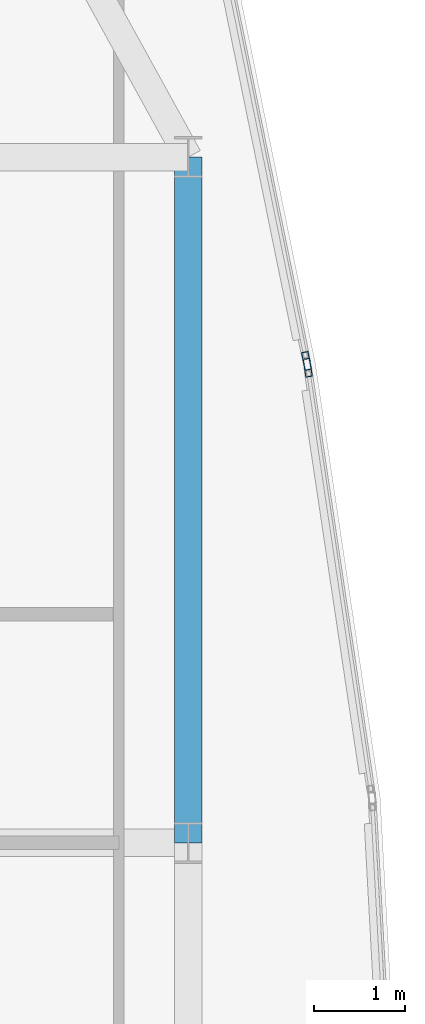
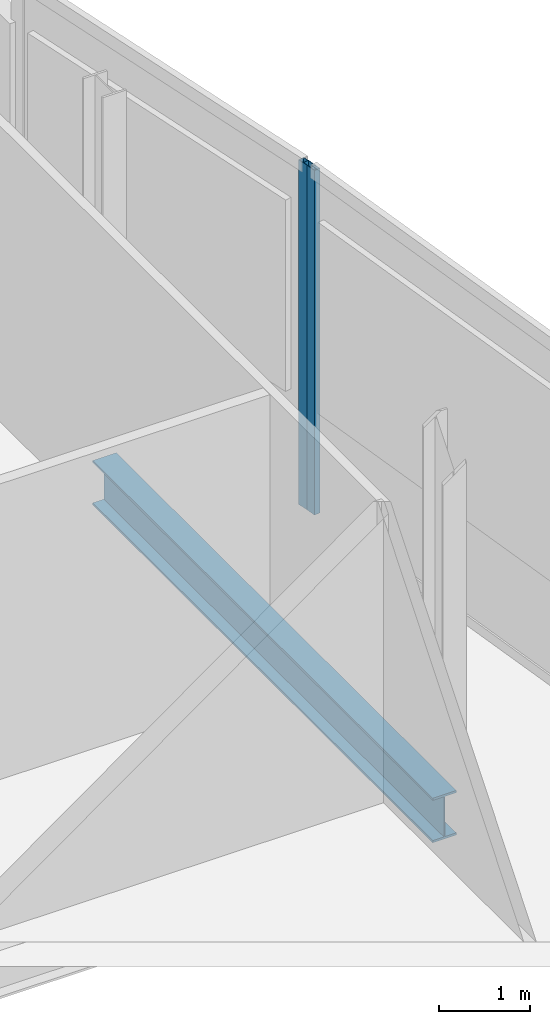
# One storey, part 21 of 32: 2 members, 1 beam, 2 elements without a shape of their own.
"""IFC4 building model written with IfcOpenShell, lengths in metres."""

from ifc_helpers import new_model, si_unit, direction, frame, origin, origin_2d, place, context, subcontext, project, spatial, hollow_rectangle, i_section, extrude, material, material_profile, profile_set, type_object, element, aggregate, save


model = new_model("IFC4")

# Units and contexts
model_context = context("Model", 3, precision=1e-05, world=origin(), true_north=direction((0.0, 1.0)))
body_context = subcontext(model_context, "Body", "Model", "MODEL_VIEW")
ifc_project = project(units=[si_unit("LENGTHUNIT", "METRE"), si_unit("AREAUNIT", "SQUARE_METRE"), si_unit("VOLUMEUNIT", "CUBIC_METRE"), si_unit("PLANEANGLEUNIT", "RADIAN"), si_unit("MASSUNIT", "GRAM", prefix="KILO")], contexts=[model_context])

# Site, building, storey
site_placement = place(None, origin())
site = spatial("IfcSite", under=ifc_project, at=site_placement, CompositionType="ELEMENT")
building_placement = place(site_placement, origin())
building = spatial("IfcBuilding", under=site, at=building_placement, Name="Khoronbel Lancet Exchange", CompositionType="ELEMENT")
storey_placement = place(building_placement, frame((0.0, 0.0, 257.0)))
storey = spatial("IfcBuildingStorey", under=building, at=storey_placement, Name="L66", CompositionType="ELEMENT", Elevation=257.0)

# Beam
ifc_material_1 = material(Name="Steel S355", Category="steel")
ifc_material_profile_1 = material_profile(ifc_material_1, i_section(OverallWidth=0.300048828125, OverallDepth=0.60009765625, WebThickness=0.015380859375, FlangeThickness=0.030029296875, at=origin_2d()), Name="HEB 600")
ifc_profile_set_1 = profile_set([ifc_material_profile_1], Name="Steel S355")
beam_type = type_object("IfcBeamType", Name="BM-BSP2", PredefinedType="SPANDREL", material=ifc_profile_set_1)
beam_placement = place(storey_placement, frame((63.6298828125, 35.699951171875, -0.52001953125), z_axis=(0.0, 1.0, 0.0), x_axis=(-1.0, 0.0, 0.0)))
element("IfcBeam", 1, at=beam_placement, inside=storey, type_object=beam_type, Name="Level L66 perimeter spandrel beam SP14", PredefinedType="SPANDREL", context=body_context, shape_type="SweptSolid", body=[
    extrude(i_section(OverallWidth=0.300048828125, OverallDepth=0.60009765625, WebThickness=0.015380859375, FlangeThickness=0.030029296875, at=origin_2d()), origin(), (0.0, 0.0, 1.0), 7.5),
])

# Curtain wall, member
ifc_material_2 = material(Name="Low-E Solar Control Insulating Glass", Category="glass")
curtain_wall_type = type_object("IfcCurtainWallType", Name="CW-4", PredefinedType="NOTDEFINED", material=ifc_material_2)
curtain_wall_1_placement = place(storey_placement, origin())
curtain_wall_1 = element("IfcCurtainWall", 2, at=curtain_wall_1_placement, inside=storey, type_object=curtain_wall_type, Name="Unitised curtain wall CW-L66-E17", PredefinedType="NOTDEFINED")
ifc_material_3 = material(Name="Bronze-Anodised Aluminium 6063-T6", Category="aluminium")
ifc_material_profile_2 = material_profile(ifc_material_3, hollow_rectangle(XDim=0.074951171875, YDim=0.199951171875, WallThickness=0.0048828125, at=origin_2d()), Name="ALU MULLION 75x200")
ifc_profile_set_2 = profile_set([ifc_material_profile_2], Name="Bronze-Anodised Aluminium 6063-T6")
member_type = type_object("IfcMemberType", Name="MEM-CWM2", PredefinedType="MULLION", material=ifc_profile_set_2)
member_1_placement = place(storey_placement, frame((64.923583984375, 40.970947265625, 0.0), z_axis=(0.0, 0.0, 1.0), x_axis=(0.979785276195, 0.200052024611, 0.0)))
member_1 = element("IfcMember", 3, at=member_1_placement, type_object=member_type, Name="CW4 mullion 2", PredefinedType="MULLION", context=body_context, shape_type="SweptSolid", body=[
    extrude(hollow_rectangle(XDim=0.074951171875, YDim=0.199951171875, WallThickness=0.0048828125, at=origin_2d()), origin(), (0.0, 0.0, 1.0), 4.639892578125),
])
aggregate(curtain_wall_1, [member_1])

curtain_wall_2_placement = place(storey_placement, origin())
curtain_wall_2 = element("IfcCurtainWall", 4, at=curtain_wall_2_placement, inside=storey, type_object=curtain_wall_type, Name="Unitised curtain wall CW-L66-E18", PredefinedType="NOTDEFINED")
member_2_placement = place(storey_placement, frame((64.936767578125, 40.897216796875, 0.0), z_axis=(0.0, 0.0, 1.0), x_axis=(0.98900689676, 0.147869395619, 0.0)))
member_2 = element("IfcMember", 5, at=member_2_placement, type_object=member_type, Name="CW4 mullion 1", PredefinedType="MULLION", context=body_context, shape_type="SweptSolid", body=[
    extrude(hollow_rectangle(XDim=0.074951171875, YDim=0.199951171875, WallThickness=0.0048828125, at=origin_2d()), origin(), (0.0, 0.0, 1.0), 4.639892578125),
])
aggregate(curtain_wall_2, [member_2])

save(model, "model.ifc")
